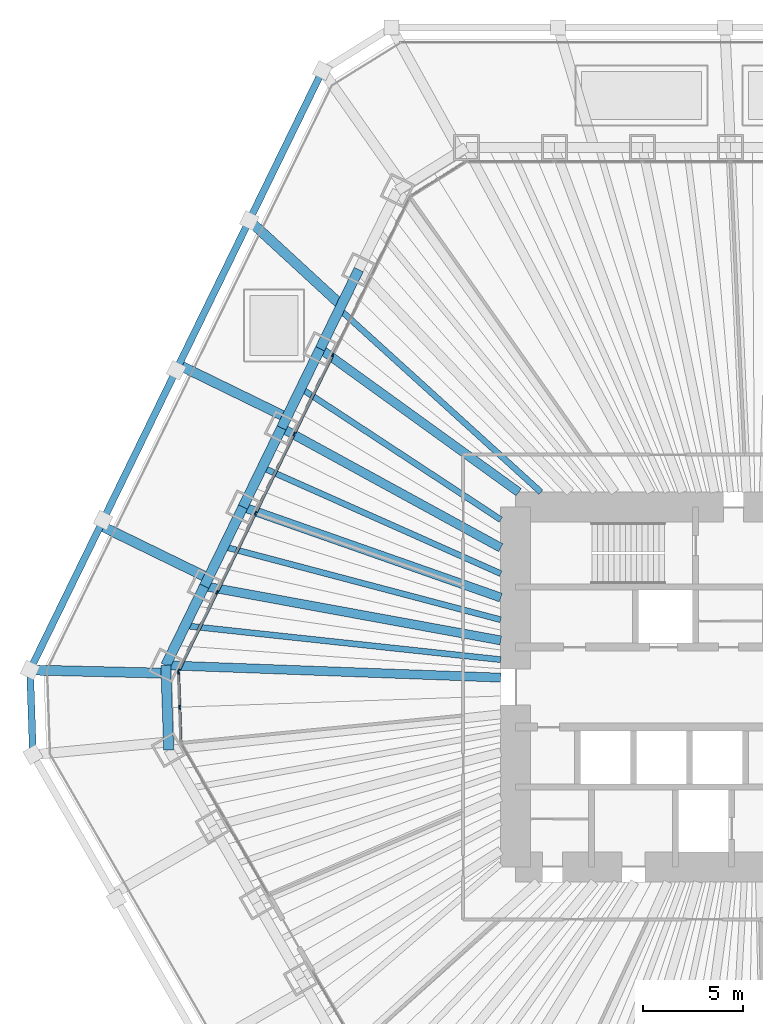
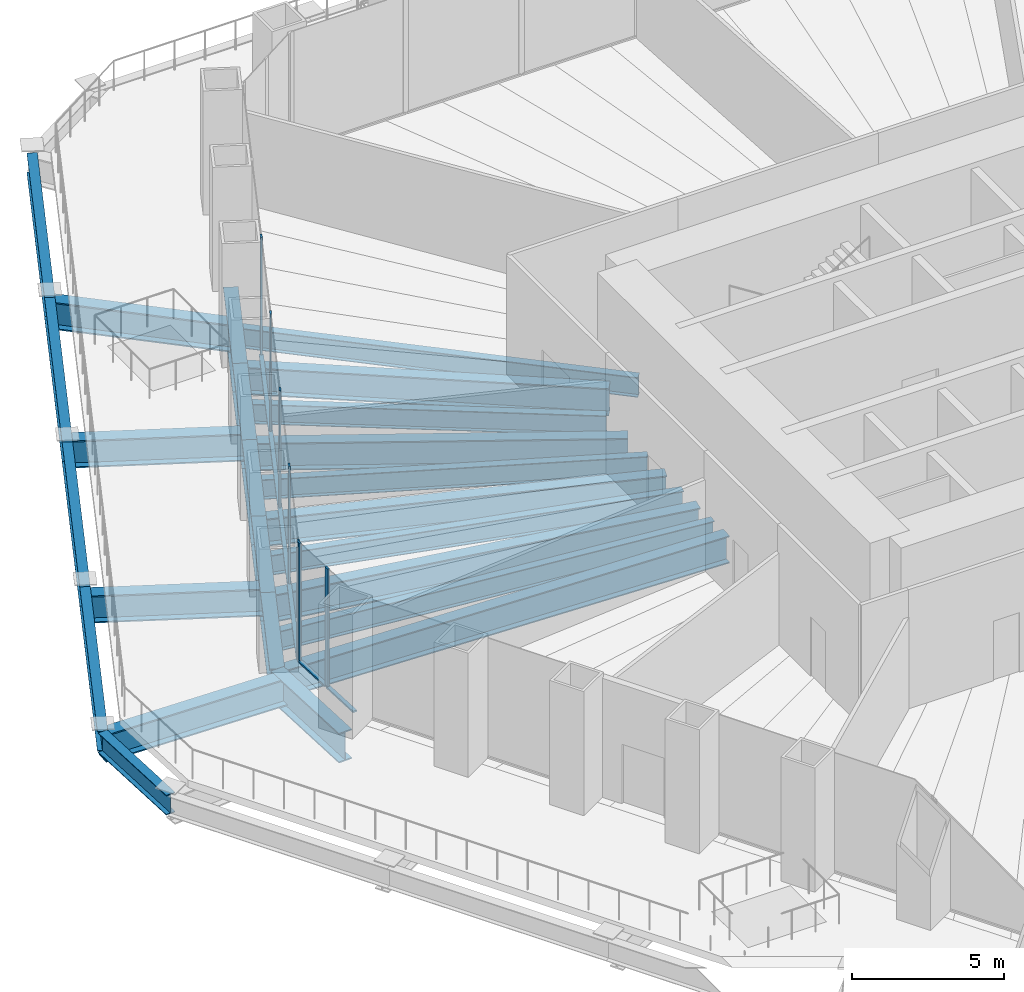
# One storey, part 6 of 20: 25 beams, 13 members, 2 elements without a shape of their own.
"""IFC4 building model written with IfcOpenShell, lengths in metres."""

from ifc_helpers import new_model, si_unit, direction, frame, origin, origin_2d, place, context, subcontext, project, spatial, rectangle, i_section, extrude, material, material_profile, profile_set, type_object, element, aggregate, save


model = new_model("IFC4")

# Units and contexts
model_context = context("Model", 3, precision=1e-05, world=origin(), true_north=direction((0.0, 1.0)))
body_context = subcontext(model_context, "Body", "Model", "MODEL_VIEW")
ifc_project = project(units=[si_unit("LENGTHUNIT", "METRE"), si_unit("AREAUNIT", "SQUARE_METRE"), si_unit("VOLUMEUNIT", "CUBIC_METRE"), si_unit("PLANEANGLEUNIT", "RADIAN"), si_unit("MASSUNIT", "GRAM", prefix="KILO")], contexts=[model_context])

# Site, building, storey
site_placement = place(None, origin())
site = spatial("IfcSite", under=ifc_project, at=site_placement, CompositionType="ELEMENT")
building_placement = place(site_placement, origin())
building = spatial("IfcBuilding", under=site, at=building_placement, Name="Qingtian Harvest Tower", CompositionType="ELEMENT")
storey_placement = place(building_placement, frame((0.0, 0.0, 17.0)))
storey = spatial("IfcBuildingStorey", under=building, at=storey_placement, Name="L03", CompositionType="ELEMENT", Elevation=17.0)

# Beams
ifc_material_1 = material(Name="Steel SM570MC", Category="steel")
ifc_material_profile_1 = material_profile(ifc_material_1, i_section(OverallWidth=0.449951171875, OverallDepth=1.10009765625, WebThickness=0.02197265625, FlangeThickness=0.044921875, at=origin_2d()), Name="H1100x450x22x45")
ifc_profile_set_1 = profile_set([ifc_material_profile_1], Name="Steel SM570MC")
beam_type_1 = type_object("IfcBeamType", Name="Corner floor beam FB8 H1100x450x22x45", PredefinedType="BEAM", material=ifc_profile_set_1)
beam_1_placement = place(storey_placement, frame((-29.5087890625, 1.08984375, -0.85009765625), z_axis=(0.999318796571, -0.036904509488, 0.0), x_axis=(0.036904509488, 0.999318796571, 0.0)))
element("IfcBeam", 1, at=beam_1_placement, inside=storey, type_object=beam_type_1, Name="Floor beam FB8 NW0", PredefinedType="BEAM", context=body_context, shape_type="SweptSolid", body=[
    extrude(i_section(OverallWidth=0.449951171875, OverallDepth=1.10009765625, WebThickness=0.02197265625, FlangeThickness=0.044921875, at=origin_2d()), origin(), (0.0, 0.0, 1.0), 16.770263671875),
])
ifc_material_2 = material(Name="Steel SM570MC", Category="steel")
ifc_material_profile_2 = material_profile(ifc_material_2, i_section(OverallWidth=0.449951171875, OverallDepth=1.10009765625, WebThickness=0.02197265625, FlangeThickness=0.044921875, at=origin_2d()), Name="H1100x450x22x45")
ifc_profile_set_2 = profile_set([ifc_material_profile_2], Name="Steel SM570MC")
beam_type_2 = type_object("IfcBeamType", Name="Floor beam FB1 H1100x450x22x45", PredefinedType="BEAM", material=ifc_profile_set_2)
beam_2_placement = place(storey_placement, frame((-27.577880859375, 5.048828125, -0.85009765625), z_axis=(0.98365177106, -0.180081074215, 0.0), x_axis=(0.180081074215, 0.98365177106, 0.0)))
element("IfcBeam", 2, at=beam_2_placement, inside=storey, type_object=beam_type_2, Name="Floor beam FB1 NW1", PredefinedType="BEAM", context=body_context, shape_type="SweptSolid", body=[
    extrude(i_section(OverallWidth=0.449951171875, OverallDepth=1.10009765625, WebThickness=0.02197265625, FlangeThickness=0.044921875, at=origin_2d()), origin(), (0.0, 0.0, 1.0), 15.07421875),
])
beam_3_placement = place(storey_placement, frame((-25.64697265625, 9.007568359375, -0.85009765625), z_axis=(0.943501950009, -0.331366972296, 0.0), x_axis=(0.331366972296, 0.943501950009, 0.0)))
element("IfcBeam", 3, at=beam_3_placement, inside=storey, type_object=beam_type_2, Name="Floor beam FB1 NW2", PredefinedType="BEAM", context=body_context, shape_type="SweptSolid", body=[
    extrude(i_section(OverallWidth=0.449951171875, OverallDepth=1.10009765625, WebThickness=0.02197265625, FlangeThickness=0.044921875, at=origin_2d()), origin(), (0.0, 0.0, 1.0), 13.669189453125),
])
beam_4_placement = place(storey_placement, frame((-23.716064453125, 12.96630859375, -0.85009765625), z_axis=(0.877428569154, -0.479707312882, 0.0), x_axis=(0.479707312882, 0.877428569154, 0.0)))
element("IfcBeam", 4, at=beam_4_placement, inside=storey, type_object=beam_type_2, Name="Floor beam FB1 NW3", PredefinedType="BEAM", context=body_context, shape_type="SweptSolid", body=[
    extrude(i_section(OverallWidth=0.449951171875, OverallDepth=1.10009765625, WebThickness=0.02197265625, FlangeThickness=0.044921875, at=origin_2d()), origin(), (0.0, 0.0, 1.0), 12.498046875),
])
beam_5_placement = place(storey_placement, frame((-21.78515625, 16.92529296875, -0.85009765625), z_axis=(0.810680279019, -0.585489099139, 0.0), x_axis=(0.585489099139, 0.810680279019, 0.0)))
element("IfcBeam", 5, at=beam_5_placement, inside=storey, type_object=beam_type_2, Name="Floor beam FB1 NW4", PredefinedType="BEAM", context=body_context, shape_type="SweptSolid", body=[
    extrude(i_section(OverallWidth=0.449951171875, OverallDepth=1.10009765625, WebThickness=0.02197265625, FlangeThickness=0.044921875, at=origin_2d()), origin(), (0.0, 0.0, 1.0), 12.255126953125),
])
ifc_material_3 = material(Name="Steel SM570MC", Category="steel")
ifc_material_profile_3 = material_profile(ifc_material_3, i_section(OverallWidth=0.5, OverallDepth=1.10009765625, WebThickness=0.02490234375, FlangeThickness=0.050048828125, at=origin_2d()), Name="H1100x500x25x50")
ifc_profile_set_3 = profile_set([ifc_material_profile_3], Name="Steel SM570MC")
beam_type_3 = type_object("IfcBeamType", Name="Floor beam FB6 H1100x500x25x50", PredefinedType="BEAM", material=ifc_profile_set_3)
beam_6_placement = place(storey_placement, frame((-36.300048828125, 0.852783203125, -0.85009765625), z_axis=(0.999724022167, -0.023492115754, 0.0), x_axis=(0.023492115754, 0.999724022167, 0.0)))
element("IfcBeam", 6, at=beam_6_placement, inside=storey, type_object=beam_type_3, Name="Podium floor beam FB6 NW0", PredefinedType="BEAM", context=body_context, shape_type="SweptSolid", body=[
    extrude(i_section(OverallWidth=0.5, OverallDepth=1.10009765625, WebThickness=0.02490234375, FlangeThickness=0.050048828125, at=origin_2d()), origin(), (0.0, 0.0, 1.0), 6.80712890625),
])
beam_7_placement = place(storey_placement, frame((-32.774658203125, 8.08056640625, -0.85009765625), z_axis=(0.898802465371, -0.438353884714, 0.0), x_axis=(0.438353884714, 0.898802465371, 0.0)))
element("IfcBeam", 7, at=beam_7_placement, inside=storey, type_object=beam_type_3, Name="Podium floor beam FB6 NW1", PredefinedType="BEAM", context=body_context, shape_type="SweptSolid", body=[
    extrude(i_section(OverallWidth=0.5, OverallDepth=1.10009765625, WebThickness=0.02490234375, FlangeThickness=0.050048828125, at=origin_2d()), origin(), (0.0, 0.0, 1.0), 6.0),
])
beam_8_placement = place(storey_placement, frame((-28.854736328125, 16.117431640625, -0.85009765625), z_axis=(0.898794646181, -0.438369916847, 0.0), x_axis=(0.438369916847, 0.898794646181, 0.0)))
element("IfcBeam", 8, at=beam_8_placement, inside=storey, type_object=beam_type_3, Name="Podium floor beam FB6 NW2", PredefinedType="BEAM", context=body_context, shape_type="SweptSolid", body=[
    extrude(i_section(OverallWidth=0.5, OverallDepth=1.10009765625, WebThickness=0.02490234375, FlangeThickness=0.050048828125, at=origin_2d()), origin(), (0.0, 0.0, 1.0), 5.999755859375),
])
beam_9_placement = place(storey_placement, frame((-25.32958984375, 23.345458984375, -0.85009765625), z_axis=(0.735326285835, -0.67771325305, 0.0), x_axis=(0.67771325305, 0.735326285835, 0.0)))
element("IfcBeam", 9, at=beam_9_placement, inside=storey, type_object=beam_type_3, Name="Podium floor beam FB6 NW3", PredefinedType="BEAM", context=body_context, shape_type="SweptSolid", body=[
    extrude(i_section(OverallWidth=0.5, OverallDepth=1.10009765625, WebThickness=0.02490234375, FlangeThickness=0.050048828125, at=origin_2d()), origin(), (0.0, 0.0, 1.0), 6.26318359375),
])
ifc_material_4 = material(Name="Steel SN490B", Category="steel")
ifc_material_profile_4 = material_profile(ifc_material_4, i_section(OverallWidth=0.300048828125, OverallDepth=0.800048828125, WebThickness=0.013916015625, FlangeThickness=0.02587890625, at=origin_2d()), Name="H800x300x14x26")
ifc_profile_set_4 = profile_set([ifc_material_profile_4], Name="Steel SN490B")
beam_type_4 = type_object("IfcBeamType", Name="Floor joist J1 H800x300x14x26", PredefinedType="JOIST", material=ifc_profile_set_4)
beam_10_placement = place(storey_placement, frame((-28.543212890625, 3.0693359375, -0.699951171875), z_axis=(0.994268320665, -0.106913546948, 0.0), x_axis=(0.106913546948, 0.994268320665, 0.0)))
element("IfcBeam", 10, at=beam_10_placement, inside=storey, type_object=beam_type_4, Name="Floor joist J1 NW0", PredefinedType="JOIST", context=body_context, shape_type="SweptSolid", body=[
    extrude(i_section(OverallWidth=0.300048828125, OverallDepth=0.800048828125, WebThickness=0.013916015625, FlangeThickness=0.02587890625, at=origin_2d()), origin(), (0.0, 0.0, 1.0), 15.88427734375),
])
beam_11_placement = place(storey_placement, frame((-26.6123046875, 7.028076171875, -0.699951171875), z_axis=(0.966852496992, -0.255335561684, 0.0), x_axis=(0.255335561684, 0.966852496992, 0.0)))
element("IfcBeam", 11, at=beam_11_placement, inside=storey, type_object=beam_type_4, Name="Floor joist J1 NW1", PredefinedType="JOIST", context=body_context, shape_type="SweptSolid", body=[
    extrude(i_section(OverallWidth=0.300048828125, OverallDepth=0.800048828125, WebThickness=0.013916015625, FlangeThickness=0.02587890625, at=origin_2d()), origin(), (0.0, 0.0, 1.0), 14.337646484375),
])
beam_12_placement = place(storey_placement, frame((-24.681640625, 10.987060546875, -0.699951171875), z_axis=(0.913567796195, -0.406686466157, 0.0), x_axis=(0.406686466157, 0.913567796195, 0.0)))
element("IfcBeam", 12, at=beam_12_placement, inside=storey, type_object=beam_type_4, Name="Floor joist J1 NW2", PredefinedType="JOIST", context=body_context, shape_type="SweptSolid", body=[
    extrude(i_section(OverallWidth=0.300048828125, OverallDepth=0.800048828125, WebThickness=0.013916015625, FlangeThickness=0.02587890625, at=origin_2d()), origin(), (0.0, 0.0, 1.0), 13.060546875),
])
beam_13_placement = place(storey_placement, frame((-22.750732421875, 14.94580078125, -0.699951171875), z_axis=(0.835785467613, -0.549056146607, 0.0), x_axis=(0.549056146607, 0.835785467613, 0.0)))
element("IfcBeam", 13, at=beam_13_placement, inside=storey, type_object=beam_type_4, Name="Floor joist J1 NW3", PredefinedType="JOIST", context=body_context, shape_type="SweptSolid", body=[
    extrude(i_section(OverallWidth=0.300048828125, OverallDepth=0.800048828125, WebThickness=0.013916015625, FlangeThickness=0.02587890625, at=origin_2d()), origin(), (0.0, 0.0, 1.0), 11.965576171875),
])
beam_14_placement = place(storey_placement, frame((-20.81982421875, 18.904541015625, -0.699951171875), z_axis=(0.740339866926, -0.672232758381, 0.0), x_axis=(0.672232758381, 0.740339866926, 0.0)))
element("IfcBeam", 14, at=beam_14_placement, inside=storey, type_object=beam_type_4, Name="Floor joist J1 NW4", PredefinedType="JOIST", context=body_context, shape_type="SweptSolid", body=[
    extrude(i_section(OverallWidth=0.300048828125, OverallDepth=0.800048828125, WebThickness=0.013916015625, FlangeThickness=0.02587890625, at=origin_2d()), origin(), (0.0, 0.0, 1.0), 13.6181640625),
])

# Curtain wall, members
ifc_material_5 = material(Name="Bronze-anodised aluminium curtain wall", Category="aluminium")
curtain_wall_type = type_object("IfcCurtainWallType", Name="Curtain wall CW2 farm reception", PredefinedType="USERDEFINED", material=ifc_material_5)
curtain_wall_1_placement = place(storey_placement, origin())
curtain_wall_1 = element("IfcCurtainWall", 15, at=curtain_wall_1_placement, inside=storey, type_object=curtain_wall_type, Name="Curtain wall CW2 L03 SWC", ObjectType="RECESSED CURTAIN WALL", PredefinedType="USERDEFINED")
ifc_material_6 = material(Name="Bronze-anodised aluminium mullion", Category="aluminium")
ifc_material_profile_5 = material_profile(ifc_material_6, rectangle(XDim=0.06494140625, YDim=0.199951171875, at=origin_2d()), Name="AL 65x200")
ifc_profile_set_5 = profile_set([ifc_material_profile_5], Name="Bronze-anodised aluminium mullion")
member_type_1 = type_object("IfcMemberType", Name="Mullion CWM 65x200", PredefinedType="MULLION", material=ifc_profile_set_5)
member_1_placement = place(storey_placement, frame((-28.817138671875, -1.00634765625, 0.0), z_axis=(0.0, 0.0, 1.0), x_axis=(-0.999390827019, -0.034899496703, 0.0)))
member_1 = element("IfcMember", 16, at=member_1_placement, type_object=member_type_1, Name="CW2 mullion 2", PredefinedType="MULLION", context=body_context, shape_type="SweptSolid", body=[
    extrude(rectangle(XDim=0.06494140625, YDim=0.199951171875, at=origin_2d()), origin(), (0.0, 0.0, 1.0), 4.800048828125),
])
member_2_placement = place(storey_placement, frame((-28.87841796875, 0.75048828125, 0.0), z_axis=(0.0, 0.0, 1.0), x_axis=(-0.999390827019, -0.034899496703, 0.0)))
member_2 = element("IfcMember", 17, at=member_2_placement, type_object=member_type_1, Name="CW2 mullion 3", PredefinedType="MULLION", context=body_context, shape_type="SweptSolid", body=[
    extrude(rectangle(XDim=0.06494140625, YDim=0.199951171875, at=origin_2d()), origin(), (0.0, 0.0, 1.0), 4.800048828125),
])

curtain_wall_2_placement = place(storey_placement, origin())
curtain_wall_2 = element("IfcCurtainWall", 18, at=curtain_wall_2_placement, inside=storey, type_object=curtain_wall_type, Name="Curtain wall CW2 L03 NW0-5", ObjectType="RECESSED CURTAIN WALL", PredefinedType="USERDEFINED")
member_3_placement = place(storey_placement, frame((-28.865234375, 0.812255859375, 0.0), z_axis=(0.0, 0.0, 1.0), x_axis=(-0.898794046299, 0.438371146789, 0.0)))
member_3 = element("IfcMember", 19, at=member_3_placement, type_object=member_type_1, Name="CW2 mullion 1", PredefinedType="MULLION", context=body_context, shape_type="SweptSolid", body=[
    extrude(rectangle(XDim=0.06494140625, YDim=0.199951171875, at=origin_2d()), origin(), (0.0, 0.0, 1.0), 4.800048828125),
])
member_4_placement = place(storey_placement, frame((-26.94873046875, 4.741943359375, 0.0), z_axis=(0.0, 0.0, 1.0), x_axis=(-0.898794046299, 0.438371146789, 0.0)))
member_4 = element("IfcMember", 20, at=member_4_placement, type_object=member_type_1, Name="CW2 mullion 2", PredefinedType="MULLION", context=body_context, shape_type="SweptSolid", body=[
    extrude(rectangle(XDim=0.06494140625, YDim=0.199951171875, at=origin_2d()), origin(), (0.0, 0.0, 1.0), 4.800048828125),
])
member_5_placement = place(storey_placement, frame((-25.017822265625, 8.70068359375, 0.0), z_axis=(0.0, 0.0, 1.0), x_axis=(-0.898794046299, 0.438371146789, 0.0)))
member_5 = element("IfcMember", 21, at=member_5_placement, type_object=member_type_1, Name="CW2 mullion 3", PredefinedType="MULLION", context=body_context, shape_type="SweptSolid", body=[
    extrude(rectangle(XDim=0.06494140625, YDim=0.199951171875, at=origin_2d()), origin(), (0.0, 0.0, 1.0), 4.800048828125),
])
member_6_placement = place(storey_placement, frame((-23.0869140625, 12.659423828125, 0.0), z_axis=(0.0, 0.0, 1.0), x_axis=(-0.898794046299, 0.438371146789, 0.0)))
member_6 = element("IfcMember", 22, at=member_6_placement, type_object=member_type_1, Name="CW2 mullion 4", PredefinedType="MULLION", context=body_context, shape_type="SweptSolid", body=[
    extrude(rectangle(XDim=0.06494140625, YDim=0.199951171875, at=origin_2d()), origin(), (0.0, 0.0, 1.0), 4.800048828125),
])
member_7_placement = place(storey_placement, frame((-21.156005859375, 16.618408203125, 0.0), z_axis=(0.0, 0.0, 1.0), x_axis=(-0.898794046299, 0.438371146789, 0.0)))
member_7 = element("IfcMember", 23, at=member_7_placement, type_object=member_type_1, Name="CW2 mullion 5", PredefinedType="MULLION", context=body_context, shape_type="SweptSolid", body=[
    extrude(rectangle(XDim=0.06494140625, YDim=0.199951171875, at=origin_2d()), origin(), (0.0, 0.0, 1.0), 4.800048828125),
])

# Beams
ifc_material_7 = material(Name="Steel SN490B", Category="steel")
ifc_material_profile_6 = material_profile(ifc_material_7, i_section(OverallWidth=0.35009765625, OverallDepth=0.800048828125, WebThickness=0.01611328125, FlangeThickness=0.028076171875, at=origin_2d()), Name="H800x350x16x28")
ifc_profile_set_6 = profile_set([ifc_material_profile_6], Name="Steel SN490B")
beam_type_5 = type_object("IfcBeamType", Name="Podium beam PB1 H800x350x16x28", PredefinedType="BEAM", material=ifc_profile_set_6)
beam_15_placement = place(storey_placement, frame((-36.152099609375, -3.3828125, -0.699951171875), z_axis=(-0.034908677553, 0.999390506375, 0.0), x_axis=(-0.999390506375, -0.034908677553, 0.0)))
element("IfcBeam", 24, at=beam_15_placement, inside=storey, type_object=beam_type_5, Name="Podium edge beam PB1 SW4", PredefinedType="BEAM", context=body_context, shape_type="SweptSolid", body=[
    extrude(i_section(OverallWidth=0.35009765625, OverallDepth=0.800048828125, WebThickness=0.01611328125, FlangeThickness=0.028076171875, at=origin_2d()), origin(), (0.0, 0.0, 1.0), 4.23828125),
])
for number, where, z_axis, x_axis, name in (
    (25, (-36.300048828125, 0.852783203125, -0.699951171875), (0.438388457998, 0.898785602852, 0.0), (-0.898785602852, 0.438388457998, 0.0), "Podium edge beam PB1 NW0"),
    (26, (-32.64306640625, 8.350341796875, -0.699951171875), (0.438364815309, 0.898797134341, 0.0), (-0.898797134341, 0.438364815309, 0.0), "Podium edge beam PB1 NW1"),
    (27, (-28.986328125, 15.847900390625, -0.699951171875), (0.438364815309, 0.898797134341, 0.0), (-0.898797134341, 0.438364815309, 0.0), "Podium edge beam PB1 NW2"),
):
    element("IfcBeam", number, at=place(storey_placement, frame(where, z_axis=z_axis, x_axis=x_axis)), inside=storey, type_object=beam_type_5, Name=name, PredefinedType="BEAM", context=body_context, shape_type="SweptSolid", body=[
        extrude(i_section(OverallWidth=0.35009765625, OverallDepth=0.800048828125, WebThickness=0.01611328125, FlangeThickness=0.028076171875, at=origin_2d()), origin(), (0.0, 0.0, 1.0), 8.341796875),
    ])
beam_16_placement = place(storey_placement, frame((-25.32958984375, 23.345458984375, -0.699951171875), z_axis=(0.438376346902, 0.898791510016, 0.0), x_axis=(-0.898791510016, 0.438376346902, 0.0)))
element("IfcBeam", 28, at=beam_16_placement, inside=storey, type_object=beam_type_5, Name="Podium edge beam PB1 NW3", PredefinedType="BEAM", context=body_context, shape_type="SweptSolid", body=[
    extrude(i_section(OverallWidth=0.35009765625, OverallDepth=0.800048828125, WebThickness=0.01611328125, FlangeThickness=0.028076171875, at=origin_2d()), origin(), (0.0, 0.0, 1.0), 8.341552734375),
])
ifc_material_8 = material(Name="Steel SM570MC", Category="steel")
ifc_material_profile_7 = material_profile(ifc_material_8, i_section(OverallWidth=0.5, OverallDepth=1.199951171875, WebThickness=0.02490234375, FlangeThickness=0.050048828125, at=origin_2d()), Name="H1200x500x25x50")
ifc_profile_set_7 = profile_set([ifc_material_profile_7], Name="Steel SM570MC")
beam_type_6 = type_object("IfcBeamType", Name="Spandrel beam SB1 H1200x500x25x50", PredefinedType="SPANDREL", material=ifc_profile_set_7)
beam_17_placement = place(storey_placement, frame((-29.36083984375, -3.145751953125, -0.89990234375), z_axis=(-0.034908677553, 0.999390506375, 0.0), x_axis=(-0.999390506375, -0.034908677553, 0.0)))
element("IfcBeam", 29, at=beam_17_placement, inside=storey, type_object=beam_type_6, Name="Spandrel SB1 SWC", PredefinedType="SPANDREL", context=body_context, shape_type="SweptSolid", body=[
    extrude(i_section(OverallWidth=0.5, OverallDepth=1.199951171875, WebThickness=0.02490234375, FlangeThickness=0.050048828125, at=origin_2d()), origin(), (0.0, 0.0, 1.0), 4.23828125),
])
beam_18_placement = place(storey_placement, frame((-29.5087890625, 1.08984375, -0.89990234375), z_axis=(0.438367938366, 0.898795611145, 0.0), x_axis=(-0.898795611145, 0.438367938366, 0.0)))
element("IfcBeam", 30, at=beam_18_placement, inside=storey, type_object=beam_type_6, Name="Spandrel SB1 NW0", PredefinedType="SPANDREL", context=body_context, shape_type="SweptSolid", body=[
    extrude(i_section(OverallWidth=0.5, OverallDepth=1.199951171875, WebThickness=0.02490234375, FlangeThickness=0.050048828125, at=origin_2d()), origin(), (0.0, 0.0, 1.0), 4.40478515625),
])
for number, where, z_axis, x_axis, name in (
    (31, (-27.577880859375, 5.048828125, -0.89990234375), (0.438389777529, 0.898784959241, 0.0), (-0.898784959241, 0.438389777529, 0.0), "Spandrel SB1 NW1"),
    (32, (-25.64697265625, 9.007568359375, -0.89990234375), (0.438389777529, 0.898784959241, 0.0), (-0.898784959241, 0.438389777529, 0.0), "Spandrel SB1 NW2"),
):
    element("IfcBeam", number, at=place(storey_placement, frame(where, z_axis=z_axis, x_axis=x_axis)), inside=storey, type_object=beam_type_6, Name=name, PredefinedType="SPANDREL", context=body_context, shape_type="SweptSolid", body=[
        extrude(i_section(OverallWidth=0.5, OverallDepth=1.199951171875, WebThickness=0.02490234375, FlangeThickness=0.050048828125, at=origin_2d()), origin(), (0.0, 0.0, 1.0), 4.404541015625),
    ])
beam_19_placement = place(storey_placement, frame((-23.716064453125, 12.96630859375, -0.89990234375), z_axis=(0.438367938366, 0.898795611145, 0.0), x_axis=(-0.898795611145, 0.438367938366, 0.0)))
element("IfcBeam", 33, at=beam_19_placement, inside=storey, type_object=beam_type_6, Name="Spandrel SB1 NW3", PredefinedType="SPANDREL", context=body_context, shape_type="SweptSolid", body=[
    extrude(i_section(OverallWidth=0.5, OverallDepth=1.199951171875, WebThickness=0.02490234375, FlangeThickness=0.050048828125, at=origin_2d()), origin(), (0.0, 0.0, 1.0), 4.40478515625),
])
beam_20_placement = place(storey_placement, frame((-21.78515625, 16.92529296875, -0.89990234375), z_axis=(0.438344999367, 0.898806798778, 0.0), x_axis=(-0.898806798778, 0.438344999367, 0.0)))
element("IfcBeam", 34, at=beam_20_placement, inside=storey, type_object=beam_type_6, Name="Spandrel SB1 NW4", PredefinedType="SPANDREL", context=body_context, shape_type="SweptSolid", body=[
    extrude(i_section(OverallWidth=0.5, OverallDepth=1.199951171875, WebThickness=0.02490234375, FlangeThickness=0.050048828125, at=origin_2d()), origin(), (0.0, 0.0, 1.0), 4.404541015625),
])

# Member
ifc_material_9 = material(Name="Bronze-anodised aluminium transom", Category="aluminium")
ifc_material_profile_8 = material_profile(ifc_material_9, rectangle(XDim=0.14990234375, YDim=0.06494140625, at=origin_2d()), Name="AL 65x150")
ifc_profile_set_8 = profile_set([ifc_material_profile_8], Name="Bronze-anodised aluminium transom")
member_type_2 = type_object("IfcMemberType", Name="Transom CWT 65x150", PredefinedType="USERDEFINED", material=ifc_profile_set_8)
member_8_placement = place(storey_placement, frame((-28.7568359375, -2.730712890625, 0.032470703125), z_axis=(-0.034899362377, 0.99939083171, 0.0), x_axis=(-0.99939083171, -0.034899362377, 0.0)))
member_8 = element("IfcMember", 35, at=member_8_placement, type_object=member_type_2, Name="CW2 transom 1.1", ObjectType="TRANSOM", PredefinedType="USERDEFINED", context=body_context, shape_type="SweptSolid", body=[
    extrude(rectangle(XDim=0.14990234375, YDim=0.06494140625, at=origin_2d()), origin(), (0.0, 0.0, 1.0), 1.69287109375),
])

member_9_placement = place(storey_placement, frame((-28.818115234375, -0.973876953125, 0.032470703125), z_axis=(-0.034899362377, 0.99939083171, 0.0), x_axis=(-0.99939083171, -0.034899362377, 0.0)))
member_9 = element("IfcMember", 36, at=member_9_placement, type_object=member_type_2, Name="CW2 transom 2.1", ObjectType="TRANSOM", PredefinedType="USERDEFINED", context=body_context, shape_type="SweptSolid", body=[
    extrude(rectangle(XDim=0.14990234375, YDim=0.06494140625, at=origin_2d()), origin(), (0.0, 0.0, 1.0), 1.69287109375),
])

aggregate(curtain_wall_1, [member_1, member_2, member_8, member_9])

member_10_placement = place(storey_placement, frame((-28.85107421875, 0.841552734375, 0.032470703125), z_axis=(0.438394595167, 0.898782609383, 0.0), x_axis=(-0.898782609383, 0.438394595167, 0.0)))
member_10 = element("IfcMember", 37, at=member_10_placement, type_object=member_type_2, Name="CW2 transom 1.1", ObjectType="TRANSOM", PredefinedType="USERDEFINED", context=body_context, shape_type="SweptSolid", body=[
    extrude(rectangle(XDim=0.14990234375, YDim=0.06494140625, at=origin_2d()), origin(), (0.0, 0.0, 1.0), 4.30712890625),
])

member_11_placement = place(storey_placement, frame((-26.934326171875, 4.77099609375, 0.032470703125), z_axis=(0.438370427127, 0.898794397302, 0.0), x_axis=(-0.898794397302, 0.438370427127, 0.0)))
member_11 = element("IfcMember", 38, at=member_11_placement, type_object=member_type_2, Name="CW2 transom 2.1", ObjectType="TRANSOM", PredefinedType="USERDEFINED", context=body_context, shape_type="SweptSolid", body=[
    extrude(rectangle(XDim=0.14990234375, YDim=0.06494140625, at=origin_2d()), origin(), (0.0, 0.0, 1.0), 4.339599609375),
])

member_12_placement = place(storey_placement, frame((-25.003662109375, 8.72998046875, 0.032470703125), z_axis=(0.438370427127, 0.898794397302, 0.0), x_axis=(-0.898794397302, 0.438370427127, 0.0)))
member_12 = element("IfcMember", 39, at=member_12_placement, type_object=member_type_2, Name="CW2 transom 3.1", ObjectType="TRANSOM", PredefinedType="USERDEFINED", context=body_context, shape_type="SweptSolid", body=[
    extrude(rectangle(XDim=0.14990234375, YDim=0.06494140625, at=origin_2d()), origin(), (0.0, 0.0, 1.0), 4.339599609375),
])

member_13_placement = place(storey_placement, frame((-23.07275390625, 12.688720703125, 0.032470703125), z_axis=(0.438370427127, 0.898794397302, 0.0), x_axis=(-0.898794397302, 0.438370427127, 0.0)))
member_13 = element("IfcMember", 40, at=member_13_placement, type_object=member_type_2, Name="CW2 transom 4.1", ObjectType="TRANSOM", PredefinedType="USERDEFINED", context=body_context, shape_type="SweptSolid", body=[
    extrude(rectangle(XDim=0.14990234375, YDim=0.06494140625, at=origin_2d()), origin(), (0.0, 0.0, 1.0), 4.339599609375),
])

aggregate(curtain_wall_2, [member_3, member_4, member_5, member_6, member_7, member_10, member_11, member_12, member_13])

save(model, "model.ifc")
